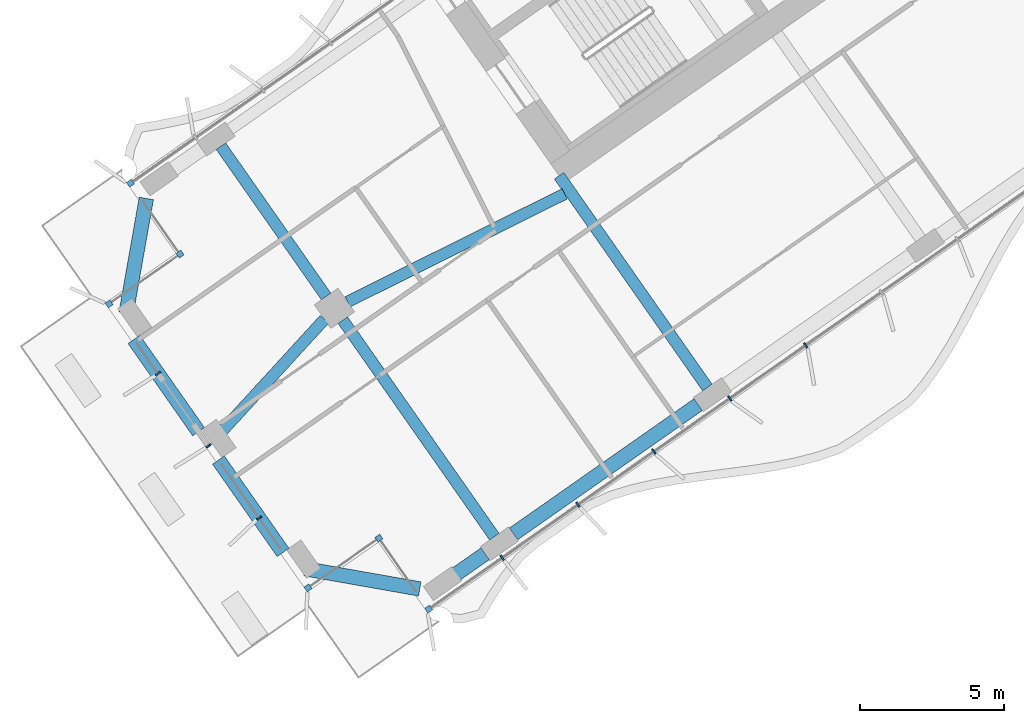
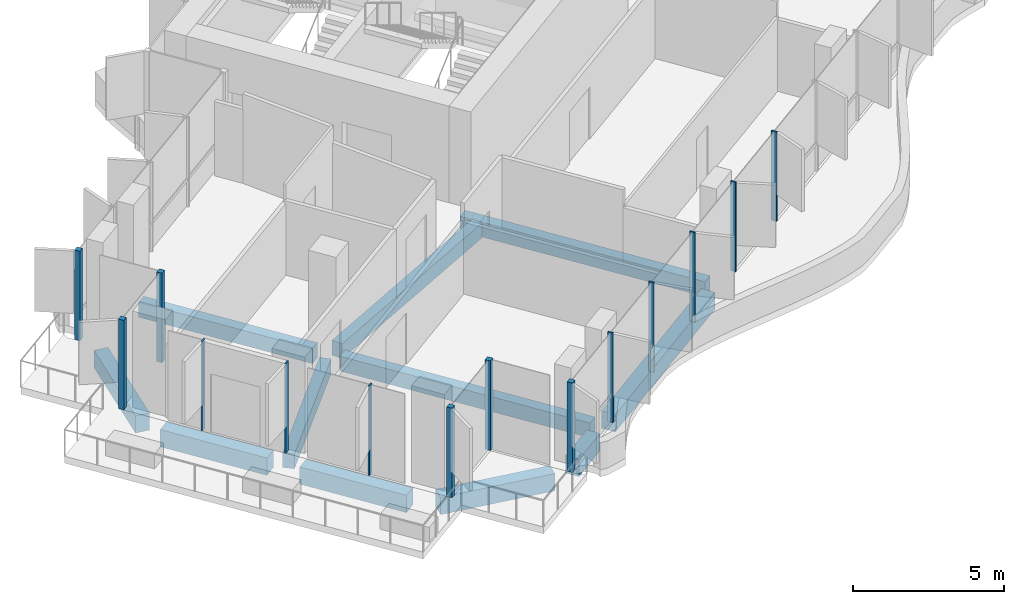
# One storey, part 2 of 24: 14 members, 11 beams, 3 elements without a shape of their own.
"""IFC4 building model written with IfcOpenShell, lengths in metres."""

from ifc_helpers import new_model, si_unit, direction, frame, origin, origin_2d, place, context, subcontext, project, spatial, rectangle, extrude, material, material_profile, profile_set, type_object, element, aggregate, save


model = new_model("IFC4")

# Units and contexts
model_context = context("Model", 3, precision=1e-05, world=origin(), true_north=direction((0.0, 1.0)))
body_context = subcontext(model_context, "Body", "Model", "MODEL_VIEW")
ifc_project = project(units=[si_unit("LENGTHUNIT", "METRE"), si_unit("AREAUNIT", "SQUARE_METRE"), si_unit("VOLUMEUNIT", "CUBIC_METRE"), si_unit("PLANEANGLEUNIT", "RADIAN"), si_unit("MASSUNIT", "GRAM", prefix="KILO")], contexts=[model_context])

# Site, building, storey
site_placement = place(None, origin())
site = spatial("IfcSite", under=ifc_project, at=site_placement, CompositionType="ELEMENT")
building_placement = place(site_placement, origin())
building = spatial("IfcBuilding", under=site, at=building_placement, Name="Tel Ilan Convention Tower", CompositionType="ELEMENT")
storey_placement = place(building_placement, frame((0.0, 0.0, 167.10009765625)))
storey = spatial("IfcBuildingStorey", under=building, at=storey_placement, Name="L38", CompositionType="ELEMENT", Elevation=167.10009765625)

# Beams
ifc_material_1 = material(Name="Concrete C40/50", Category="concrete")
ifc_material_profile_1 = material_profile(ifc_material_1, rectangle(XDim=0.39990234375, YDim=0.60009765625, at=origin_2d()), Name="RC 400x600")
ifc_profile_set_1 = profile_set([ifc_material_profile_1], Name="Concrete C40/50")
beam_type_1 = type_object("IfcBeamType", Name="Beam RC 400x600 Concrete C40/50", PredefinedType="BEAM", material=ifc_profile_set_1)
beam_1_placement = place(storey_placement, frame((-16.58203125, -23.391357421875, -0.580078125), z_axis=(-0.573584999642, 0.819146048141, 0.0), x_axis=(-0.819146048141, -0.573584999642, 0.0)))
element("IfcBeam", 1, at=beam_1_placement, inside=storey, type_object=beam_type_1, Name="L38 beam W-W-F3-core", PredefinedType="BEAM", context=body_context, shape_type="SweptSolid", body=[
    extrude(rectangle(XDim=0.39990234375, YDim=0.60009765625, at=origin_2d()), origin(), (0.0, 0.0, 1.0), 8.949951171875),
])
beam_2_placement = place(storey_placement, frame((-21.52099609375, -16.686279296875, -0.580078125), z_axis=(-0.895402365524, -0.445257907076, 0.0), x_axis=(0.445257907076, -0.895402365524, 0.0)))
element("IfcBeam", 2, at=beam_2_placement, inside=storey, type_object=beam_type_1, Name="L38 beam W-core-W-M4", PredefinedType="BEAM", context=body_context, shape_type="SweptSolid", body=[
    extrude(rectangle(XDim=0.39990234375, YDim=0.60009765625, at=origin_2d()), origin(), (0.0, 0.0, 1.0), 8.3935546875),
])
beam_3_placement = place(storey_placement, frame((-29.835205078125, -21.026611328125, -0.580078125), z_axis=(-0.675300861805, -0.737542368983, 0.0), x_axis=(0.737542368983, -0.675300861805, 0.0)))
element("IfcBeam", 3, at=beam_3_placement, inside=storey, type_object=beam_type_1, Name="L38 beam W-W-M4-end", PredefinedType="BEAM", context=body_context, shape_type="SweptSolid", body=[
    extrude(rectangle(XDim=0.39990234375, YDim=0.60009765625, at=origin_2d()), origin(), (0.0, 0.0, 1.0), 5.636474609375),
])
beam_4_placement = place(storey_placement, frame((-29.20263671875, -21.058349609375, -0.580078125), z_axis=(0.573557249804, -0.819165478519, 0.0), x_axis=(0.819165478519, 0.573557249804, 0.0)))
element("IfcBeam", 4, at=beam_4_placement, inside=storey, type_object=beam_type_1, Name="L38 beam W-W-M4-W-F4", PredefinedType="BEAM", context=body_context, shape_type="SweptSolid", body=[
    extrude(rectangle(XDim=0.39990234375, YDim=0.60009765625, at=origin_2d()), origin(), (0.0, 0.0, 1.0), 9.14990234375),
])
beam_5_placement = place(storey_placement, frame((-29.7763671875, -20.2392578125, -0.580078125), z_axis=(-0.573560394383, 0.819163276762, 0.0), x_axis=(-0.819163276762, -0.573560394383, 0.0)))
element("IfcBeam", 5, at=beam_5_placement, inside=storey, type_object=beam_type_1, Name="L38 beam W-W-M4-W-B4", PredefinedType="BEAM", context=body_context, shape_type="SweptSolid", body=[
    extrude(rectangle(XDim=0.39990234375, YDim=0.60009765625, at=origin_2d()), origin(), (0.0, 0.0, 1.0), 6.349853515625),
])
ifc_material_2 = material(Name="Concrete C40/50", Category="concrete")
ifc_material_profile_2 = material_profile(ifc_material_2, rectangle(XDim=0.5, YDim=0.699951171875, at=origin_2d()), Name="RC 500x700")
ifc_profile_set_2 = profile_set([ifc_material_profile_2], Name="Concrete C40/50")
beam_type_2 = type_object("IfcBeamType", Name="Beam RC 500x700 Concrete C40/50", PredefinedType="BEAM", material=ifc_profile_set_2)
beam_6_placement = place(storey_placement, frame((-16.901611328125, -23.981201171875, -0.630126953125), z_axis=(-0.819153977895, -0.573573674866, 0.0), x_axis=(0.573573674866, -0.819153977895, 0.0)))
element("IfcBeam", 6, at=beam_6_placement, inside=storey, type_object=beam_type_2, Name="L38 beam W-W-F3-W-F4", PredefinedType="BEAM", context=body_context, shape_type="SweptSolid", body=[
    extrude(rectangle(XDim=0.5, YDim=0.699951171875, at=origin_2d()), origin(), (0.0, 0.0, 1.0), 7.800048828125),
])
beam_7_placement = place(storey_placement, frame((-24.27392578125, -29.1435546875, -0.630126953125), z_axis=(-0.819148614275, -0.573581334887, 0.0), x_axis=(0.573581334887, -0.819148614275, 0.0)))
element("IfcBeam", 7, at=beam_7_placement, inside=storey, type_object=beam_type_2, Name="L38 beam W-W-F4-W-FC", PredefinedType="BEAM", context=body_context, shape_type="SweptSolid", body=[
    extrude(rectangle(XDim=0.5, YDim=0.699951171875, at=origin_2d()), origin(), (0.0, 0.0, 1.0), 1.65234375),
])
beam_8_placement = place(storey_placement, frame((-26.53662109375, -30.36181640625, -0.630126953125), z_axis=(-0.984806721117, 0.173654029734, 0.0), x_axis=(-0.173654029734, -0.984806721117, 0.0)))
element("IfcBeam", 8, at=beam_8_placement, inside=storey, type_object=beam_type_2, Name="L38 beam W-W-FC-W-E1", PredefinedType="BEAM", context=body_context, shape_type="SweptSolid", body=[
    extrude(rectangle(XDim=0.5, YDim=0.699951171875, at=origin_2d()), origin(), (0.0, 0.0, 1.0), 4.03076171875),
])
for number, where, z_axis, x_axis, name in (
    (9, (-31.267822265625, -29.0966796875, -0.630126953125), (-0.573579971149, 0.819149569186, 0.0), (-0.819149569186, -0.573579971149, 0.0), "L38 beam W-W-E1-W-E2"),
    (10, (-34.193115234375, -24.9189453125, -0.630126953125), (-0.573579971149, 0.819149569186, 0.0), (-0.819149569186, -0.573579971149, 0.0), "L38 beam W-W-E2-W-E3"),
):
    element("IfcBeam", number, at=place(storey_placement, frame(where, z_axis=z_axis, x_axis=x_axis)), inside=storey, type_object=beam_type_2, Name=name, PredefinedType="BEAM", context=body_context, shape_type="SweptSolid", body=[
        extrude(rectangle(XDim=0.5, YDim=0.699951171875, at=origin_2d()), origin(), (0.0, 0.0, 1.0), 3.900146484375),
    ])
beam_9_placement = place(storey_placement, frame((-36.70068359375, -20.81494140625, -0.630126953125), z_axis=(0.173664388751, 0.984804894423, 0.0), x_axis=(-0.984804894423, 0.173664388751, 0.0)))
element("IfcBeam", 11, at=beam_9_placement, inside=storey, type_object=beam_type_2, Name="L38 beam W-W-E3-W-BC", PredefinedType="BEAM", context=body_context, shape_type="SweptSolid", body=[
    extrude(rectangle(XDim=0.5, YDim=0.699951171875, at=origin_2d()), origin(), (0.0, 0.0, 1.0), 4.030517578125),
])

# Curtain wall, members
ifc_material_3 = material(Name="Aluminium, bronze anodised", Category="aluminium")
curtain_wall_type = type_object("IfcCurtainWallType", Name="CW4 STICK CURTAIN WALL, OFFICE TINTED GLASS", PredefinedType="NOTDEFINED", material=ifc_material_3)
curtain_wall_1_placement = place(storey_placement, origin())
curtain_wall_1 = element("IfcCurtainWall", 12, at=curtain_wall_1_placement, inside=storey, type_object=curtain_wall_type, Name="Curtain wall CW4-30.02", PredefinedType="NOTDEFINED")
ifc_material_4 = material(Name="Aluminium, bronze anodised", Category="aluminium")
ifc_material_profile_3 = material_profile(ifc_material_4, rectangle(XDim=0.199951171875, YDim=0.199951171875, at=origin_2d()), Name="CW CORNER MULLION 200x200")
ifc_profile_set_3 = profile_set([ifc_material_profile_3], Name="Aluminium, bronze anodised")
member_type_1 = type_object("IfcMemberType", Name="CW CORNER MULLION 200x200", PredefinedType="MULLION", material=ifc_profile_set_3)
member_1_placement = place(storey_placement, frame((-36.5517578125, -16.31591796875, 0.0), z_axis=(0.0, 0.0, 1.0), x_axis=(-0.819152044289, -0.573576436351, 0.0)))
member_1 = element("IfcMember", 13, at=member_1_placement, type_object=member_type_1, Name="Corner mullion", PredefinedType="MULLION", context=body_context, shape_type="SweptSolid", body=[
    extrude(rectangle(XDim=0.199951171875, YDim=0.199951171875, at=origin_2d()), origin(), (0.0, 0.0, 1.0), 3.619873046875),
])
member_2_placement = place(storey_placement, frame((-34.8310546875, -18.7734375, 0.0), z_axis=(0.0, 0.0, 1.0), x_axis=(0.573576436351, -0.819152044289, 0.0)))
member_2 = element("IfcMember", 14, at=member_2_placement, type_object=member_type_1, Name="Corner mullion", PredefinedType="MULLION", context=body_context, shape_type="SweptSolid", body=[
    extrude(rectangle(XDim=0.199951171875, YDim=0.199951171875, at=origin_2d()), origin(), (0.0, 0.0, 1.0), 3.619873046875),
])
member_3_placement = place(storey_placement, frame((-37.28857421875, -20.494140625, 0.0), z_axis=(0.0, 0.0, 1.0), x_axis=(-0.819152044289, -0.573576436351, 0.0)))
member_3 = element("IfcMember", 15, at=member_3_placement, type_object=member_type_1, Name="Corner mullion", PredefinedType="MULLION", context=body_context, shape_type="SweptSolid", body=[
    extrude(rectangle(XDim=0.199951171875, YDim=0.199951171875, at=origin_2d()), origin(), (0.0, 0.0, 1.0), 3.619873046875),
])

curtain_wall_2_placement = place(storey_placement, origin())
curtain_wall_2 = element("IfcCurtainWall", 16, at=curtain_wall_2_placement, inside=storey, type_object=curtain_wall_type, Name="Curtain wall CW4-30.04", PredefinedType="NOTDEFINED")
member_4_placement = place(storey_placement, frame((-30.40576171875, -30.323974609375, 0.0), z_axis=(0.0, 0.0, 1.0), x_axis=(0.573576436351, -0.819152044289, 0.0)))
member_4 = element("IfcMember", 17, at=member_4_placement, type_object=member_type_1, Name="Corner mullion", PredefinedType="MULLION", context=body_context, shape_type="SweptSolid", body=[
    extrude(rectangle(XDim=0.199951171875, YDim=0.199951171875, at=origin_2d()), origin(), (0.0, 0.0, 1.0), 3.619873046875),
])
member_5_placement = place(storey_placement, frame((-27.9482421875, -28.603271484375, 0.0), z_axis=(0.0, 0.0, 1.0), x_axis=(0.819152044289, 0.573576436351, 0.0)))
member_5 = element("IfcMember", 18, at=member_5_placement, type_object=member_type_1, Name="Corner mullion", PredefinedType="MULLION", context=body_context, shape_type="SweptSolid", body=[
    extrude(rectangle(XDim=0.199951171875, YDim=0.199951171875, at=origin_2d()), origin(), (0.0, 0.0, 1.0), 3.619873046875),
])
member_6_placement = place(storey_placement, frame((-26.2275390625, -31.060791015625, 0.0), z_axis=(0.0, 0.0, 1.0), x_axis=(0.573576436351, -0.819152044289, 0.0)))
member_6 = element("IfcMember", 19, at=member_6_placement, type_object=member_type_1, Name="Corner mullion", PredefinedType="MULLION", context=body_context, shape_type="SweptSolid", body=[
    extrude(rectangle(XDim=0.199951171875, YDim=0.199951171875, at=origin_2d()), origin(), (0.0, 0.0, 1.0), 3.619873046875),
])

# Member
ifc_material_5 = material(Name="Aluminium, bronze anodised", Category="aluminium")
ifc_material_profile_4 = material_profile(ifc_material_5, rectangle(XDim=0.06005859375, YDim=0.199951171875, at=origin_2d()), Name="CW MULLION 60x200")
ifc_profile_set_4 = profile_set([ifc_material_profile_4], Name="Aluminium, bronze anodised")
member_type_2 = type_object("IfcMemberType", Name="CW MULLION 60x200", PredefinedType="MULLION", material=ifc_profile_set_4)
member_7_placement = place(storey_placement, frame((-35.596435546875, -22.91064453125, 0.0), z_axis=(0.0, 0.0, 1.0), x_axis=(0.573576436351, -0.819152044289, 0.0)))
member_7 = element("IfcMember", 20, at=member_7_placement, type_object=member_type_2, Name="Mullion", PredefinedType="MULLION", context=body_context, shape_type="SweptSolid", body=[
    extrude(rectangle(XDim=0.06005859375, YDim=0.199951171875, at=origin_2d()), origin(), (0.0, 0.0, 1.0), 3.619873046875),
])

aggregate(curtain_wall_1, [member_1, member_2, member_3, member_7])

# Curtain wall, member
curtain_wall_3_placement = place(storey_placement, origin())
curtain_wall_3 = element("IfcCurtainWall", 21, at=curtain_wall_3_placement, inside=storey, type_object=curtain_wall_type, Name="Curtain wall CW4-30.03", PredefinedType="NOTDEFINED")
member_8_placement = place(storey_placement, frame((-33.84716796875, -25.4091796875, 0.0), z_axis=(0.0, 0.0, 1.0), x_axis=(0.573576436351, -0.819152044289, 0.0)))
member_8 = element("IfcMember", 22, at=member_8_placement, type_object=member_type_2, Name="Mullion", PredefinedType="MULLION", context=body_context, shape_type="SweptSolid", body=[
    extrude(rectangle(XDim=0.06005859375, YDim=0.199951171875, at=origin_2d()), origin(), (0.0, 0.0, 1.0), 3.619873046875),
])
aggregate(curtain_wall_3, [member_8])

# Member
member_9_placement = place(storey_placement, frame((-32.09765625, -27.907470703125, 0.0), z_axis=(0.0, 0.0, 1.0), x_axis=(0.573576436351, -0.819152044289, 0.0)))
member_9 = element("IfcMember", 23, at=member_9_placement, type_object=member_type_2, Name="Mullion", PredefinedType="MULLION", context=body_context, shape_type="SweptSolid", body=[
    extrude(rectangle(XDim=0.06005859375, YDim=0.199951171875, at=origin_2d()), origin(), (0.0, 0.0, 1.0), 3.619873046875),
])

member_10_placement = place(storey_placement, frame((-23.68408203125, -29.27978515625, 0.0), z_axis=(0.0, 0.0, 1.0), x_axis=(0.819152044289, 0.573576436351, 0.0)))
member_10 = element("IfcMember", 24, at=member_10_placement, type_object=member_type_2, Name="Mullion", PredefinedType="MULLION", context=body_context, shape_type="SweptSolid", body=[
    extrude(rectangle(XDim=0.06005859375, YDim=0.199951171875, at=origin_2d()), origin(), (0.0, 0.0, 1.0), 3.619873046875),
])

member_11_placement = place(storey_placement, frame((-21.05908203125, -27.441650390625, 0.0), z_axis=(0.0, 0.0, 1.0), x_axis=(0.819152044289, 0.573576436351, 0.0)))
member_11 = element("IfcMember", 25, at=member_11_placement, type_object=member_type_2, Name="Mullion", PredefinedType="MULLION", context=body_context, shape_type="SweptSolid", body=[
    extrude(rectangle(XDim=0.06005859375, YDim=0.199951171875, at=origin_2d()), origin(), (0.0, 0.0, 1.0), 3.619873046875),
])

member_12_placement = place(storey_placement, frame((-18.433837890625, -25.603515625, 0.0), z_axis=(0.0, 0.0, 1.0), x_axis=(0.819152044289, 0.573576436351, 0.0)))
member_12 = element("IfcMember", 26, at=member_12_placement, type_object=member_type_2, Name="Mullion", PredefinedType="MULLION", context=body_context, shape_type="SweptSolid", body=[
    extrude(rectangle(XDim=0.06005859375, YDim=0.199951171875, at=origin_2d()), origin(), (0.0, 0.0, 1.0), 3.619873046875),
])

member_13_placement = place(storey_placement, frame((-15.80859375, -23.765380859375, 0.0), z_axis=(0.0, 0.0, 1.0), x_axis=(0.819152044289, 0.573576436351, 0.0)))
member_13 = element("IfcMember", 27, at=member_13_placement, type_object=member_type_2, Name="Mullion", PredefinedType="MULLION", context=body_context, shape_type="SweptSolid", body=[
    extrude(rectangle(XDim=0.06005859375, YDim=0.199951171875, at=origin_2d()), origin(), (0.0, 0.0, 1.0), 3.619873046875),
])

member_14_placement = place(storey_placement, frame((-13.183349609375, -21.92724609375, 0.0), z_axis=(0.0, 0.0, 1.0), x_axis=(0.819152044289, 0.573576436351, 0.0)))
member_14 = element("IfcMember", 28, at=member_14_placement, type_object=member_type_2, Name="Mullion", PredefinedType="MULLION", context=body_context, shape_type="SweptSolid", body=[
    extrude(rectangle(XDim=0.06005859375, YDim=0.199951171875, at=origin_2d()), origin(), (0.0, 0.0, 1.0), 3.619873046875),
])

aggregate(curtain_wall_2, [member_9, member_4, member_5, member_6, member_10, member_11, member_12, member_13, member_14])

save(model, "model.ifc")
